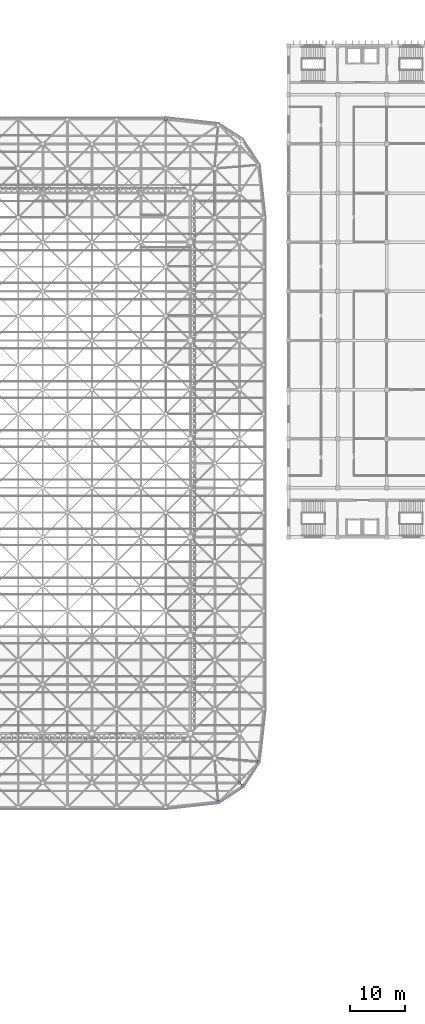
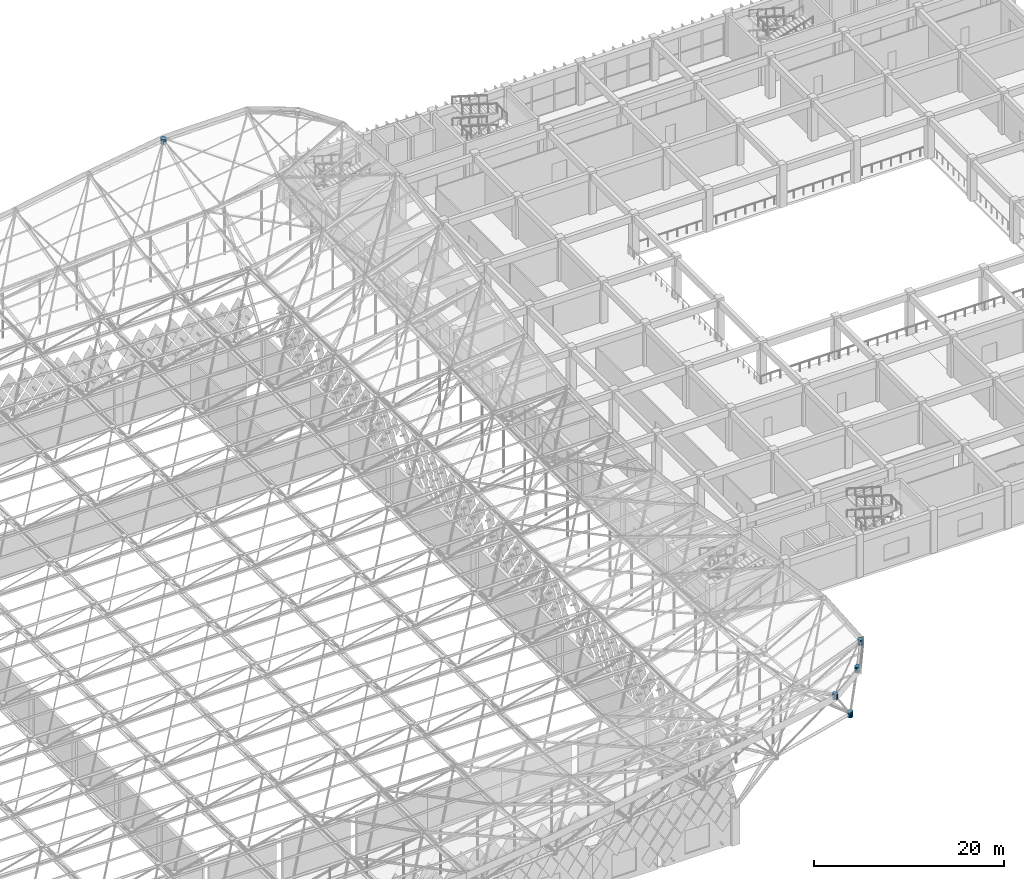
# One storey, part 334 of 437: 5 discrete accessories.
"""IFC4 building model written with IfcOpenShell, lengths in metres."""

from ifc_helpers import new_model, si_unit, direction, frame, origin, place, context, subcontext, project, spatial, polyline, outline, extrude, material, type_object, element, save


model = new_model("IFC4")

# Units and contexts
model_context = context("Model", 3, precision=1e-05, world=origin(), true_north=direction((0.0, 1.0)))
body_context = subcontext(model_context, "Body", "Model", "MODEL_VIEW")
ifc_project = project(units=[si_unit("LENGTHUNIT", "METRE"), si_unit("AREAUNIT", "SQUARE_METRE"), si_unit("VOLUMEUNIT", "CUBIC_METRE"), si_unit("PLANEANGLEUNIT", "RADIAN"), si_unit("MASSUNIT", "GRAM", prefix="KILO")], contexts=[model_context])

# Site, building, storey
site_placement = place(None, origin())
site = spatial("IfcSite", under=ifc_project, at=site_placement, CompositionType="ELEMENT")
building_placement = place(site_placement, origin())
building = spatial("IfcBuilding", under=site, at=building_placement, Name="Opaline Strait Convention Centre", CompositionType="ELEMENT")
storey_placement = place(building_placement, frame((0.0, 0.0, 11.5)))
storey = spatial("IfcBuildingStorey", under=building, at=storey_placement, Name="L02", CompositionType="ELEMENT", Elevation=11.5)

# Discrete accessories
ifc_material = material(Name="Cast steel ZG300-500H (300 MPa)", Category="steel")
discrete_accessory_type = type_object("IfcDiscreteAccessoryType", Name="Space frame node hub D600", PredefinedType="USERDEFINED", material=ifc_material)
discrete_accessory_1_placement = place(storey_placement, frame((0.0, 0.0, 23.408203125)))
element("IfcDiscreteAccessory", 1, at=discrete_accessory_1_placement, inside=storey, type_object=discrete_accessory_type, Name="Top node 20/15", ObjectType="NODE HUB", PredefinedType="USERDEFINED", context=body_context, shape_type="SweptSolid", body=[
    extrude(outline(polyline([(256.800048828125, 166.559814453125), (256.75439453125, 166.669921875), (256.669921875, 166.75439453125), (256.559814453125, 166.800048828125), (256.440185546875, 166.800048828125), (256.330078125, 166.75439453125), (256.24560546875, 166.669921875), (256.199951171875, 166.559814453125), (256.199951171875, 166.440185546875), (256.24560546875, 166.330078125), (256.330078125, 166.24560546875), (256.440185546875, 166.199951171875), (256.559814453125, 166.199951171875), (256.669921875, 166.24560546875), (256.75439453125, 166.330078125), (256.800048828125, 166.440185546875), (256.800048828125, 166.559814453125)])), origin(), (0.0, 0.0, 1.0), 0.719970703125),
])
discrete_accessory_2_placement = place(storey_placement, frame((0.0, 0.0, 24.340087890625)))
element("IfcDiscreteAccessory", 2, at=discrete_accessory_2_placement, inside=storey, type_object=discrete_accessory_type, Name="Top node 21/1", ObjectType="NODE HUB", PredefinedType="USERDEFINED", context=body_context, shape_type="SweptSolid", body=[
    extrude(outline(polyline([(266.46630859375, 41.58740234375), (266.420654296875, 41.697509765625), (266.336181640625, 41.781982421875), (266.225830078125, 41.82763671875), (266.106689453125, 41.82763671875), (265.996337890625, 41.781982421875), (265.911865234375, 41.697509765625), (265.8662109375, 41.58740234375), (265.8662109375, 41.468017578125), (265.911865234375, 41.357666015625), (265.996337890625, 41.273193359375), (266.106689453125, 41.2275390625), (266.225830078125, 41.2275390625), (266.336181640625, 41.273193359375), (266.420654296875, 41.357666015625), (266.46630859375, 41.468017578125), (266.46630859375, 41.58740234375)])), origin(), (0.0, 0.0, 1.0), 0.719970703125),
])
discrete_accessory_3_placement = place(storey_placement, frame((0.0, 0.0, 24.490478515625)))
element("IfcDiscreteAccessory", 3, at=discrete_accessory_3_placement, inside=storey, type_object=discrete_accessory_type, Name="Top node 22/1", ObjectType="NODE HUB", PredefinedType="USERDEFINED", context=body_context, shape_type="SweptSolid", body=[
    extrude(outline(polyline([(270.845947265625, 44.513671875), (270.80029296875, 44.6240234375), (270.7158203125, 44.70849609375), (270.605712890625, 44.754150390625), (270.486328125, 44.754150390625), (270.3759765625, 44.70849609375), (270.29150390625, 44.6240234375), (270.245849609375, 44.513671875), (270.245849609375, 44.394287109375), (270.29150390625, 44.2841796875), (270.3759765625, 44.19970703125), (270.486328125, 44.154052734375), (270.605712890625, 44.154052734375), (270.7158203125, 44.19970703125), (270.80029296875, 44.2841796875), (270.845947265625, 44.394287109375), (270.845947265625, 44.513671875)])), origin(), (0.0, 0.0, 1.0), 0.719970703125),
])
discrete_accessory_4_placement = place(storey_placement, frame((0.0, 0.0, 24.340087890625)))
element("IfcDiscreteAccessory", 4, at=discrete_accessory_4_placement, inside=storey, type_object=discrete_accessory_type, Name="Top node 22/2", ObjectType="NODE HUB", PredefinedType="USERDEFINED", context=body_context, shape_type="SweptSolid", body=[
    extrude(outline(polyline([(273.7724609375, 48.893310546875), (273.726806640625, 49.003662109375), (273.642333984375, 49.088134765625), (273.531982421875, 49.1337890625), (273.41259765625, 49.1337890625), (273.302490234375, 49.088134765625), (273.218017578125, 49.003662109375), (273.17236328125, 48.893310546875), (273.17236328125, 48.774169921875), (273.218017578125, 48.663818359375), (273.302490234375, 48.579345703125), (273.41259765625, 48.53369140625), (273.531982421875, 48.53369140625), (273.642333984375, 48.579345703125), (273.726806640625, 48.663818359375), (273.7724609375, 48.774169921875), (273.7724609375, 48.893310546875)])), origin(), (0.0, 0.0, 1.0), 0.719970703125),
])
discrete_accessory_5_placement = place(storey_placement, frame((0.0, 0.0, 18.592041015625)))
element("IfcDiscreteAccessory", 5, at=discrete_accessory_5_placement, inside=storey, type_object=discrete_accessory_type, Name="Bottom node 21/1", ObjectType="NODE HUB", PredefinedType="USERDEFINED", context=body_context, shape_type="SweptSolid", body=[
    extrude(outline(polyline([(270.300048828125, 45.059814453125), (270.25439453125, 45.169921875), (270.169921875, 45.25439453125), (270.059814453125, 45.300048828125), (269.940185546875, 45.300048828125), (269.830078125, 45.25439453125), (269.74560546875, 45.169921875), (269.699951171875, 45.059814453125), (269.699951171875, 44.940185546875), (269.74560546875, 44.830078125), (269.830078125, 44.74560546875), (269.940185546875, 44.699951171875), (270.059814453125, 44.699951171875), (270.169921875, 44.74560546875), (270.25439453125, 44.830078125), (270.300048828125, 44.940185546875), (270.300048828125, 45.059814453125)])), origin(), (0.0, 0.0, 1.0), 0.719970703125),
])

save(model, "model.ifc")
